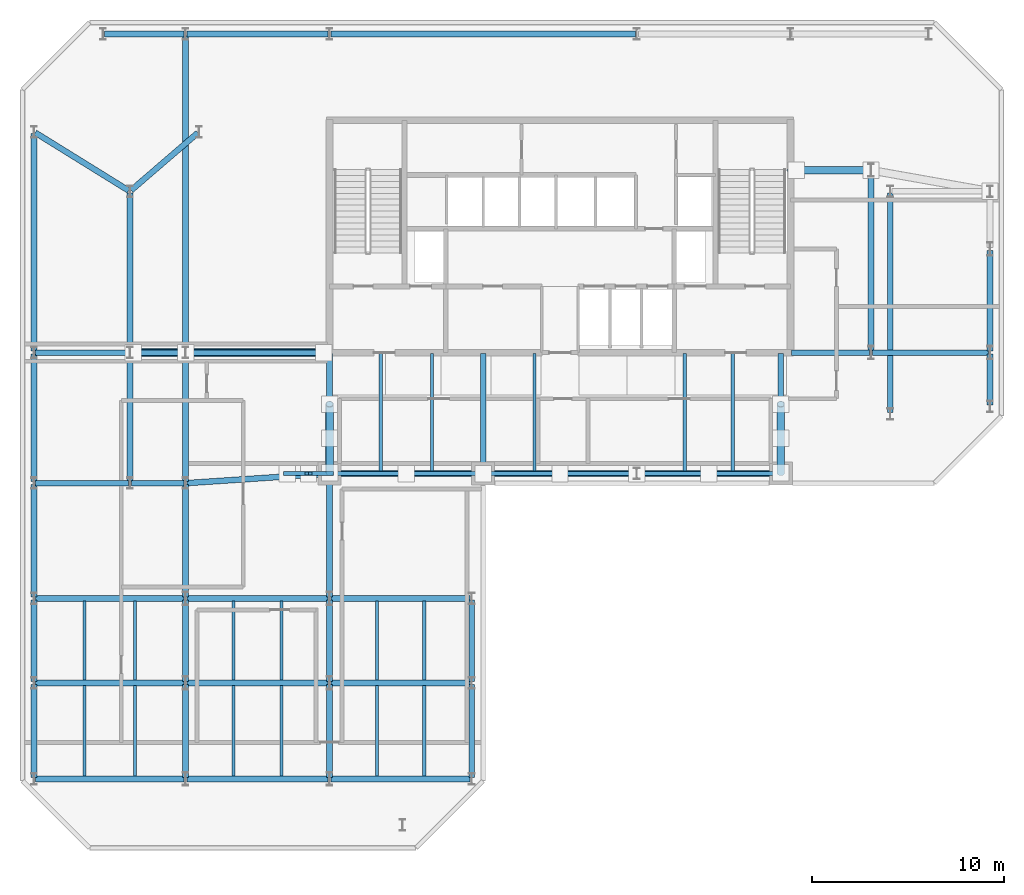
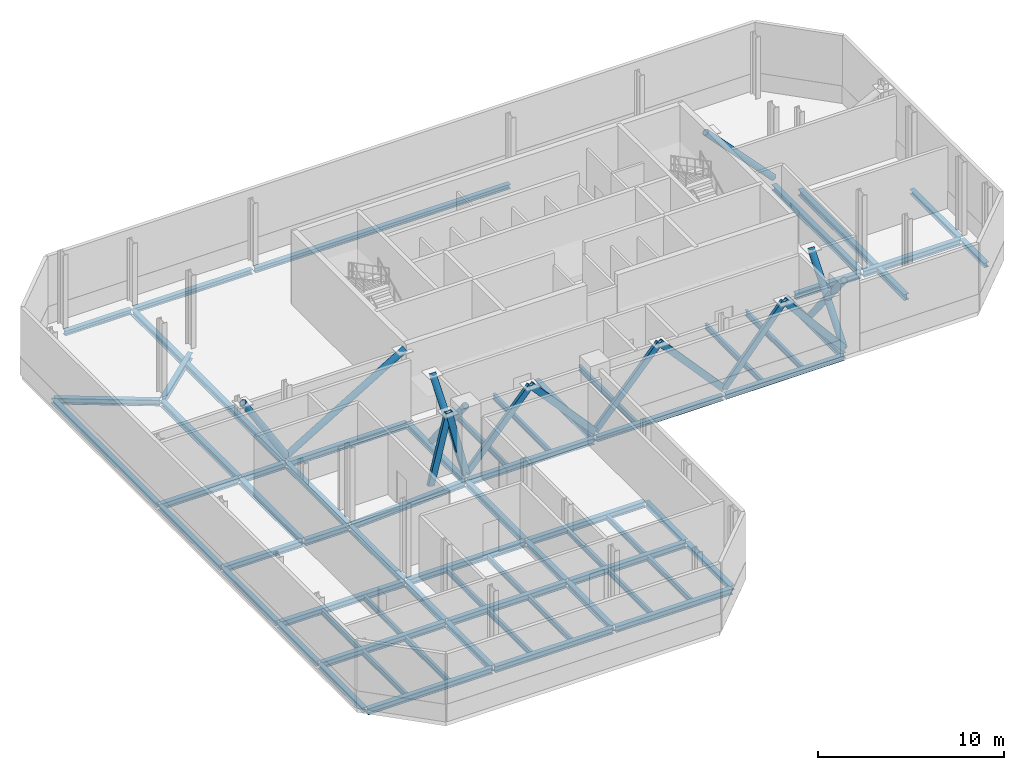
# One storey, part 3 of 9: 66 beams, 17 members.
"""IFC4 building model written with IfcOpenShell, lengths in metres."""

from ifc_helpers import new_model, si_unit, direction, frame, origin, origin_2d, place, context, subcontext, project, spatial, hollow_rectangle, hollow_circle, i_section, extrude, material, material_profile, profile_set, type_object, element, save


model = new_model("IFC4")

# Units and contexts
model_context = context("Model", 3, precision=1e-05, world=origin(), true_north=direction((0.0, 1.0)))
body_context = subcontext(model_context, "Body", "Model", "MODEL_VIEW")
ifc_project = project(units=[si_unit("LENGTHUNIT", "METRE"), si_unit("AREAUNIT", "SQUARE_METRE"), si_unit("VOLUMEUNIT", "CUBIC_METRE"), si_unit("PLANEANGLEUNIT", "RADIAN"), si_unit("MASSUNIT", "GRAM", prefix="KILO")], contexts=[model_context])

# Site, building, storey
site_placement = place(None, origin())
site = spatial("IfcSite", under=ifc_project, at=site_placement, CompositionType="ELEMENT")
building_placement = place(site_placement, origin())
building = spatial("IfcBuilding", under=site, at=building_placement, Name="Catumbela Crestline Tower", CompositionType="ELEMENT")
storey_placement = place(building_placement, frame((0.0, 0.0, 144.0)))
storey = spatial("IfcBuildingStorey", under=building, at=storey_placement, Name="L37", CompositionType="ELEMENT", Elevation=144.0)

# Beams
ifc_material_1 = material(Name="Structural steel S355J2", Category="steel")
ifc_material_profile_1 = material_profile(ifc_material_1, i_section(OverallWidth=0.3, OverallDepth=0.39, WebThickness=0.011, FlangeThickness=0.019, FilletRadius=0.027, at=origin_2d()), Name="HEA 400")
ifc_profile_set_1 = profile_set([ifc_material_profile_1], Name="Structural steel S355J2")
beam_type_1 = type_object("IfcBeamType", Name="BG-HEA400", PredefinedType="BEAM", material=ifc_profile_set_1)
beam_1_placement = place(storey_placement, frame((0.68, 24.0, -0.545), z_axis=(1.0, 0.0, 0.0), x_axis=(0.0, 1.0, 0.0)))
element("IfcBeam", 1, at=beam_1_placement, inside=storey, type_object=beam_type_1, Name="L37 Beam BM-L37-S01", PredefinedType="BEAM", context=body_context, shape_type="SweptSolid", body=[
    extrude(i_section(OverallWidth=0.3, OverallDepth=0.39, WebThickness=0.011, FlangeThickness=0.019, FilletRadius=0.027, at=origin_2d()), origin(), (0.0, 0.0, 1.0), 4.84),
])
beam_2_placement = place(storey_placement, frame((5.68, 24.0, -0.545), z_axis=(1.0, 0.0, 0.0), x_axis=(0.0, 1.0, 0.0)))
element("IfcBeam", 2, at=beam_2_placement, inside=storey, type_object=beam_type_1, Name="L37 Beam BM-L37-S02", PredefinedType="BEAM", context=body_context, shape_type="SweptSolid", body=[
    extrude(i_section(OverallWidth=0.3, OverallDepth=0.39, WebThickness=0.011, FlangeThickness=0.019, FilletRadius=0.027, at=origin_2d()), origin(), (0.0, 0.0, 1.0), 2.74),
])
beam_3_placement = place(storey_placement, frame((8.5798, 24.0053, -0.545), z_axis=(0.997784796964, 0.066524423687, 0.0), x_axis=(-0.066524423687, 0.997784796964, 0.0)))
element("IfcBeam", 3, at=beam_3_placement, inside=storey, type_object=beam_type_1, Name="L37 Beam BM-L37-S03", PredefinedType="BEAM", context=body_context, shape_type="SweptSolid", body=[
    extrude(i_section(OverallWidth=0.3, OverallDepth=0.39, WebThickness=0.011, FlangeThickness=0.019, FilletRadius=0.027, at=origin_2d()), origin(), (0.0, 0.0, 1.0), 7.3567),
])
beam_4_placement = place(storey_placement, frame((16.08, 24.5, -0.545), z_axis=(1.0, 0.0, 0.0), x_axis=(0.0, 1.0, 0.0)))
element("IfcBeam", 4, at=beam_4_placement, inside=storey, type_object=beam_type_1, Name="L37 Beam BM-L37-S04", PredefinedType="BEAM", context=body_context, shape_type="SweptSolid", body=[
    extrude(i_section(OverallWidth=0.3, OverallDepth=0.39, WebThickness=0.011, FlangeThickness=0.019, FilletRadius=0.027, at=origin_2d()), origin(), (0.0, 0.0, 1.0), 7.84),
])
beam_5_placement = place(storey_placement, frame((0.68, 30.8, -0.545), z_axis=(1.0, 0.0, 0.0), x_axis=(0.0, 1.0, 0.0)))
element("IfcBeam", 5, at=beam_5_placement, inside=storey, type_object=beam_type_1, Name="L37 Beam BM-L37-M07", PredefinedType="BEAM", context=body_context, shape_type="SweptSolid", body=[
    extrude(i_section(OverallWidth=0.3, OverallDepth=0.39, WebThickness=0.011, FlangeThickness=0.019, FilletRadius=0.027, at=origin_2d()), origin(), (0.0, 0.0, 1.0), 4.84),
])
beam_6_placement = place(storey_placement, frame((5.68, 30.8, -0.545), z_axis=(1.0, 0.0, 0.0), x_axis=(0.0, 1.0, 0.0)))
element("IfcBeam", 6, at=beam_6_placement, inside=storey, type_object=beam_type_1, Name="L37 Beam BM-L37-M08", PredefinedType="BEAM", context=body_context, shape_type="SweptSolid", body=[
    extrude(i_section(OverallWidth=0.3, OverallDepth=0.39, WebThickness=0.011, FlangeThickness=0.019, FilletRadius=0.027, at=origin_2d()), origin(), (0.0, 0.0, 1.0), 2.74),
])
beam_7_placement = place(storey_placement, frame((8.58, 30.8, -0.545), z_axis=(1.0, 0.0, 0.0), x_axis=(0.0, 1.0, 0.0)))
element("IfcBeam", 7, at=beam_7_placement, inside=storey, type_object=beam_type_1, Name="L37 Beam BM-L37-M09", PredefinedType="BEAM", context=body_context, shape_type="SweptSolid", body=[
    extrude(i_section(OverallWidth=0.3, OverallDepth=0.39, WebThickness=0.011, FlangeThickness=0.019, FilletRadius=0.027, at=origin_2d()), origin(), (0.0, 0.0, 1.0), 7.37),
])
beam_8_placement = place(storey_placement, frame((40.05, 30.8, -0.545), z_axis=(1.0, 0.0, 0.0), x_axis=(0.0, 1.0, 0.0)))
element("IfcBeam", 8, at=beam_8_placement, inside=storey, type_object=beam_type_1, Name="L37 Beam BM-L37-M10", PredefinedType="BEAM", context=body_context, shape_type="SweptSolid", body=[
    extrude(i_section(OverallWidth=0.3, OverallDepth=0.39, WebThickness=0.011, FlangeThickness=0.019, FilletRadius=0.027, at=origin_2d()), origin(), (0.0, 0.0, 1.0), 4.07),
])
beam_9_placement = place(storey_placement, frame((44.28, 30.8, -0.545), z_axis=(1.0, 0.0, 0.0), x_axis=(0.0, 1.0, 0.0)))
element("IfcBeam", 9, at=beam_9_placement, inside=storey, type_object=beam_type_1, Name="L37 Beam BM-L37-M11", PredefinedType="BEAM", context=body_context, shape_type="SweptSolid", body=[
    extrude(i_section(OverallWidth=0.3, OverallDepth=0.39, WebThickness=0.011, FlangeThickness=0.019, FilletRadius=0.027, at=origin_2d()), origin(), (0.0, 0.0, 1.0), 6.04),
])
beam_10_placement = place(storey_placement, frame((0.668, 42.2578, -0.545), z_axis=(0.849908952007, -0.526929571479, 0.0), x_axis=(0.526929571479, 0.849908952007, 0.0)))
element("IfcBeam", 10, at=beam_10_placement, inside=storey, type_object=beam_type_1, Name="L37 Beam BM-L37-N12", PredefinedType="BEAM", context=body_context, shape_type="SweptSolid", body=[
    extrude(i_section(OverallWidth=0.3, OverallDepth=0.39, WebThickness=0.011, FlangeThickness=0.019, FilletRadius=0.027, at=origin_2d()), origin(), (0.0, 0.0, 1.0), 5.723),
])
beam_11_placement = place(storey_placement, frame((5.6606, 39.2522, -0.545), z_axis=(0.757772392559, 0.652518966066, 0.0), x_axis=(-0.652518966066, 0.757772392559, 0.0)))
element("IfcBeam", 11, at=beam_11_placement, inside=storey, type_object=beam_type_1, Name="L37 Beam BM-L37-N13", PredefinedType="BEAM", context=body_context, shape_type="SweptSolid", body=[
    extrude(i_section(OverallWidth=0.3, OverallDepth=0.39, WebThickness=0.011, FlangeThickness=0.019, FilletRadius=0.027, at=origin_2d()), origin(), (0.0, 0.0, 1.0), 4.5908),
])
beam_12_placement = place(storey_placement, frame((5.6, 24.08, -0.545), z_axis=(0.0, 1.0, 0.0), x_axis=(-1.0, 0.0, 0.0)))
element("IfcBeam", 12, at=beam_12_placement, inside=storey, type_object=beam_type_1, Name="L37 Beam BM-L37-SN24", PredefinedType="BEAM", context=body_context, shape_type="SweptSolid", body=[
    extrude(i_section(OverallWidth=0.3, OverallDepth=0.39, WebThickness=0.011, FlangeThickness=0.019, FilletRadius=0.027, at=origin_2d()), origin(), (0.0, 0.0, 1.0), 6.64),
])
beam_13_placement = place(storey_placement, frame((5.6, 30.88, -0.545), z_axis=(0.0, 1.0, 0.0), x_axis=(-1.0, 0.0, 0.0)))
element("IfcBeam", 13, at=beam_13_placement, inside=storey, type_object=beam_type_1, Name="L37 Beam BM-L37-SN25", PredefinedType="BEAM", context=body_context, shape_type="SweptSolid", body=[
    extrude(i_section(OverallWidth=0.3, OverallDepth=0.39, WebThickness=0.011, FlangeThickness=0.019, FilletRadius=0.027, at=origin_2d()), origin(), (0.0, 0.0, 1.0), 8.24),
])
beam_14_placement = place(storey_placement, frame((8.5, 24.08, -0.545), z_axis=(0.0, 1.0, 0.0), x_axis=(-1.0, 0.0, 0.0)))
element("IfcBeam", 14, at=beam_14_placement, inside=storey, type_object=beam_type_1, Name="L37 Beam BM-L37-SN26", PredefinedType="BEAM", context=body_context, shape_type="SweptSolid", body=[
    extrude(i_section(OverallWidth=0.3, OverallDepth=0.39, WebThickness=0.011, FlangeThickness=0.019, FilletRadius=0.027, at=origin_2d()), origin(), (0.0, 0.0, 1.0), 6.64),
])
beam_15_placement = place(storey_placement, frame((8.5, 30.88, -0.545), z_axis=(0.0, 1.0, 0.0), x_axis=(-1.0, 0.0, 0.0)))
element("IfcBeam", 15, at=beam_15_placement, inside=storey, type_object=beam_type_1, Name="L37 Beam BM-L37-SN27", PredefinedType="BEAM", context=body_context, shape_type="SweptSolid", body=[
    extrude(i_section(OverallWidth=0.3, OverallDepth=0.39, WebThickness=0.011, FlangeThickness=0.019, FilletRadius=0.027, at=origin_2d()), origin(), (0.0, 0.0, 1.0), 16.44),
])
for number, where, z_axis, x_axis, name in (
    (16, (16.0, 24.58, -0.545), (0.0, 1.0, 0.0), (-1.0, 0.0, 0.0), "L37 Beam BM-L37-SNS28"),
    (17, (24.0, 24.58, -0.545), (0.0, 1.0, 0.0), (-1.0, 0.0, 0.0), "L37 Beam BM-L37-SNS29"),
    (18, (39.5, 24.58, -0.545), (0.0, 1.0, 0.0), (-1.0, 0.0, 0.0), "L37 Beam BM-L37-SNS31"),
):
    element("IfcBeam", number, at=place(storey_placement, frame(where, z_axis=z_axis, x_axis=x_axis)), inside=storey, type_object=beam_type_1, Name=name, PredefinedType="BEAM", context=body_context, shape_type="SweptSolid", body=[
        extrude(i_section(OverallWidth=0.3, OverallDepth=0.39, WebThickness=0.011, FlangeThickness=0.019, FilletRadius=0.027, at=origin_2d()), origin(), (0.0, 0.0, 1.0), 6.17),
    ])
beam_16_placement = place(storey_placement, frame((44.2, 30.88, -0.545), z_axis=(0.0, 1.0, 0.0), x_axis=(-1.0, 0.0, 0.0)))
element("IfcBeam", 19, at=beam_16_placement, inside=storey, type_object=beam_type_1, Name="L37 Beam BM-L37-SN32", PredefinedType="BEAM", context=body_context, shape_type="SweptSolid", body=[
    extrude(i_section(OverallWidth=0.3, OverallDepth=0.39, WebThickness=0.011, FlangeThickness=0.019, FilletRadius=0.027, at=origin_2d()), origin(), (0.0, 0.0, 1.0), 9.34),
])
beam_17_placement = place(storey_placement, frame((45.2, 27.68, -0.545), z_axis=(0.0, 1.0, 0.0), x_axis=(-1.0, 0.0, 0.0)))
element("IfcBeam", 20, at=beam_17_placement, inside=storey, type_object=beam_type_1, Name="L37 Beam BM-L37-SN33", PredefinedType="BEAM", context=body_context, shape_type="SweptSolid", body=[
    extrude(i_section(OverallWidth=0.3, OverallDepth=0.39, WebThickness=0.011, FlangeThickness=0.019, FilletRadius=0.027, at=origin_2d()), origin(), (0.0, 0.0, 1.0), 11.44),
])
beam_18_placement = place(storey_placement, frame((0.68, 8.6, -0.545), z_axis=(1.0, 0.0, 0.0), x_axis=(0.0, 1.0, 0.0)))
element("IfcBeam", 21, at=beam_18_placement, inside=storey, type_object=beam_type_1, Name="L37 Beam BM-L37-WEW43", PredefinedType="BEAM", context=body_context, shape_type="SweptSolid", body=[
    extrude(i_section(OverallWidth=0.3, OverallDepth=0.39, WebThickness=0.011, FlangeThickness=0.019, FilletRadius=0.027, at=origin_2d()), origin(), (0.0, 0.0, 1.0), 7.74),
])
beam_19_placement = place(storey_placement, frame((8.58, 8.6, -0.545), z_axis=(1.0, 0.0, 0.0), x_axis=(0.0, 1.0, 0.0)))
element("IfcBeam", 22, at=beam_19_placement, inside=storey, type_object=beam_type_1, Name="L37 Beam BM-L37-WEW44", PredefinedType="BEAM", context=body_context, shape_type="SweptSolid", body=[
    extrude(i_section(OverallWidth=0.3, OverallDepth=0.39, WebThickness=0.011, FlangeThickness=0.019, FilletRadius=0.027, at=origin_2d()), origin(), (0.0, 0.0, 1.0), 7.34),
])
beam_20_placement = place(storey_placement, frame((16.08, 8.6, -0.545), z_axis=(1.0, 0.0, 0.0), x_axis=(0.0, 1.0, 0.0)))
element("IfcBeam", 23, at=beam_20_placement, inside=storey, type_object=beam_type_1, Name="L37 Beam BM-L37-WEW45", PredefinedType="BEAM", context=body_context, shape_type="SweptSolid", body=[
    extrude(i_section(OverallWidth=0.3, OverallDepth=0.39, WebThickness=0.011, FlangeThickness=0.019, FilletRadius=0.027, at=origin_2d()), origin(), (0.0, 0.0, 1.0), 7.24),
])
beam_21_placement = place(storey_placement, frame((0.68, 13.6, -0.545), z_axis=(1.0, 0.0, 0.0), x_axis=(0.0, 1.0, 0.0)))
element("IfcBeam", 24, at=beam_21_placement, inside=storey, type_object=beam_type_1, Name="L37 Beam BM-L37-WEW46", PredefinedType="BEAM", context=body_context, shape_type="SweptSolid", body=[
    extrude(i_section(OverallWidth=0.3, OverallDepth=0.39, WebThickness=0.011, FlangeThickness=0.019, FilletRadius=0.027, at=origin_2d()), origin(), (0.0, 0.0, 1.0), 7.74),
])
beam_22_placement = place(storey_placement, frame((8.58, 13.6, -0.545), z_axis=(1.0, 0.0, 0.0), x_axis=(0.0, 1.0, 0.0)))
element("IfcBeam", 25, at=beam_22_placement, inside=storey, type_object=beam_type_1, Name="L37 Beam BM-L37-WEW47", PredefinedType="BEAM", context=body_context, shape_type="SweptSolid", body=[
    extrude(i_section(OverallWidth=0.3, OverallDepth=0.39, WebThickness=0.011, FlangeThickness=0.019, FilletRadius=0.027, at=origin_2d()), origin(), (0.0, 0.0, 1.0), 7.34),
])
beam_23_placement = place(storey_placement, frame((16.08, 13.6, -0.545), z_axis=(1.0, 0.0, 0.0), x_axis=(0.0, 1.0, 0.0)))
element("IfcBeam", 26, at=beam_23_placement, inside=storey, type_object=beam_type_1, Name="L37 Beam BM-L37-WEW48", PredefinedType="BEAM", context=body_context, shape_type="SweptSolid", body=[
    extrude(i_section(OverallWidth=0.3, OverallDepth=0.39, WebThickness=0.011, FlangeThickness=0.019, FilletRadius=0.027, at=origin_2d()), origin(), (0.0, 0.0, 1.0), 7.24),
])
beam_24_placement = place(storey_placement, frame((0.68, 18.0, -0.545), z_axis=(1.0, 0.0, 0.0), x_axis=(0.0, 1.0, 0.0)))
element("IfcBeam", 27, at=beam_24_placement, inside=storey, type_object=beam_type_1, Name="L37 Beam BM-L37-WEW49", PredefinedType="BEAM", context=body_context, shape_type="SweptSolid", body=[
    extrude(i_section(OverallWidth=0.3, OverallDepth=0.39, WebThickness=0.011, FlangeThickness=0.019, FilletRadius=0.027, at=origin_2d()), origin(), (0.0, 0.0, 1.0), 7.74),
])
beam_25_placement = place(storey_placement, frame((8.58, 18.0, -0.545), z_axis=(1.0, 0.0, 0.0), x_axis=(0.0, 1.0, 0.0)))
element("IfcBeam", 28, at=beam_25_placement, inside=storey, type_object=beam_type_1, Name="L37 Beam BM-L37-WEW50", PredefinedType="BEAM", context=body_context, shape_type="SweptSolid", body=[
    extrude(i_section(OverallWidth=0.3, OverallDepth=0.39, WebThickness=0.011, FlangeThickness=0.019, FilletRadius=0.027, at=origin_2d()), origin(), (0.0, 0.0, 1.0), 7.34),
])
beam_26_placement = place(storey_placement, frame((16.08, 18.0, -0.545), z_axis=(1.0, 0.0, 0.0), x_axis=(0.0, 1.0, 0.0)))
element("IfcBeam", 29, at=beam_26_placement, inside=storey, type_object=beam_type_1, Name="L37 Beam BM-L37-WEW51", PredefinedType="BEAM", context=body_context, shape_type="SweptSolid", body=[
    extrude(i_section(OverallWidth=0.3, OverallDepth=0.39, WebThickness=0.011, FlangeThickness=0.019, FilletRadius=0.027, at=origin_2d()), origin(), (0.0, 0.0, 1.0), 7.24),
])
beam_27_placement = place(storey_placement, frame((8.5, 8.68, -0.545), z_axis=(0.0, 1.0, 0.0), x_axis=(-1.0, 0.0, 0.0)))
element("IfcBeam", 30, at=beam_27_placement, inside=storey, type_object=beam_type_1, Name="L37 Beam BM-L37-WNS55", PredefinedType="BEAM", context=body_context, shape_type="SweptSolid", body=[
    extrude(i_section(OverallWidth=0.3, OverallDepth=0.39, WebThickness=0.011, FlangeThickness=0.019, FilletRadius=0.027, at=origin_2d()), origin(), (0.0, 0.0, 1.0), 4.84),
])
beam_28_placement = place(storey_placement, frame((8.5, 13.68, -0.545), z_axis=(0.0, 1.0, 0.0), x_axis=(-1.0, 0.0, 0.0)))
element("IfcBeam", 31, at=beam_28_placement, inside=storey, type_object=beam_type_1, Name="L37 Beam BM-L37-WNS56", PredefinedType="BEAM", context=body_context, shape_type="SweptSolid", body=[
    extrude(i_section(OverallWidth=0.3, OverallDepth=0.39, WebThickness=0.011, FlangeThickness=0.019, FilletRadius=0.027, at=origin_2d()), origin(), (0.0, 0.0, 1.0), 4.24),
])
beam_29_placement = place(storey_placement, frame((8.5, 18.08, -0.545), z_axis=(0.0, 1.0, 0.0), x_axis=(-1.0, 0.0, 0.0)))
element("IfcBeam", 32, at=beam_29_placement, inside=storey, type_object=beam_type_1, Name="L37 Beam BM-L37-WNS57", PredefinedType="BEAM", context=body_context, shape_type="SweptSolid", body=[
    extrude(i_section(OverallWidth=0.3, OverallDepth=0.39, WebThickness=0.011, FlangeThickness=0.019, FilletRadius=0.027, at=origin_2d()), origin(), (0.0, 0.0, 1.0), 5.84),
])
beam_30_placement = place(storey_placement, frame((16.0, 8.68, -0.545), z_axis=(0.0, 1.0, 0.0), x_axis=(-1.0, 0.0, 0.0)))
element("IfcBeam", 33, at=beam_30_placement, inside=storey, type_object=beam_type_1, Name="L37 Beam BM-L37-WNS58", PredefinedType="BEAM", context=body_context, shape_type="SweptSolid", body=[
    extrude(i_section(OverallWidth=0.3, OverallDepth=0.39, WebThickness=0.011, FlangeThickness=0.019, FilletRadius=0.027, at=origin_2d()), origin(), (0.0, 0.0, 1.0), 4.84),
])
beam_31_placement = place(storey_placement, frame((16.0, 13.68, -0.545), z_axis=(0.0, 1.0, 0.0), x_axis=(-1.0, 0.0, 0.0)))
element("IfcBeam", 34, at=beam_31_placement, inside=storey, type_object=beam_type_1, Name="L37 Beam BM-L37-WNS59", PredefinedType="BEAM", context=body_context, shape_type="SweptSolid", body=[
    extrude(i_section(OverallWidth=0.3, OverallDepth=0.39, WebThickness=0.011, FlangeThickness=0.019, FilletRadius=0.027, at=origin_2d()), origin(), (0.0, 0.0, 1.0), 4.24),
])
beam_32_placement = place(storey_placement, frame((16.0, 18.08, -0.545), z_axis=(0.0, 1.0, 0.0), x_axis=(-1.0, 0.0, 0.0)))
element("IfcBeam", 35, at=beam_32_placement, inside=storey, type_object=beam_type_1, Name="L37 Beam BM-L37-WNS60", PredefinedType="BEAM", context=body_context, shape_type="SweptSolid", body=[
    extrude(i_section(OverallWidth=0.3, OverallDepth=0.39, WebThickness=0.011, FlangeThickness=0.019, FilletRadius=0.027, at=origin_2d()), origin(), (0.0, 0.0, 1.0), 6.34),
])
ifc_material_profile_2 = material_profile(ifc_material_1, i_section(OverallWidth=0.17, OverallDepth=0.36, WebThickness=0.008, FlangeThickness=0.0127, FilletRadius=0.018, at=origin_2d()), Name="IPE 360")
ifc_profile_set_2 = profile_set([ifc_material_profile_2], Name="Structural steel S355J2")
beam_type_2 = type_object("IfcBeamType", Name="BJ-IPE360", PredefinedType="JOIST", material=ifc_profile_set_2)
for number, where, z_axis, x_axis, name in (
    (36, (18.667, 24.647, -0.53), (0.0, 1.0, 0.0), (-1.0, 0.0, 0.0), "L37 Joist JS-L37-SP37"),
    (37, (21.333, 24.647, -0.53), (0.0, 1.0, 0.0), (-1.0, 0.0, 0.0), "L37 Joist JS-L37-SP38"),
    (38, (26.667, 24.647, -0.53), (0.0, 1.0, 0.0), (-1.0, 0.0, 0.0), "L37 Joist JS-L37-SP39"),
    (39, (34.5, 24.647, -0.53), (0.0, 1.0, 0.0), (-1.0, 0.0, 0.0), "L37 Joist JS-L37-SP41"),
    (40, (37.0, 24.647, -0.53), (0.0, 1.0, 0.0), (-1.0, 0.0, 0.0), "L37 Joist JS-L37-SP42"),
):
    element("IfcBeam", number, at=place(storey_placement, frame(where, z_axis=z_axis, x_axis=x_axis)), inside=storey, type_object=beam_type_2, Name=name, PredefinedType="JOIST", context=body_context, shape_type="SweptSolid", body=[
        extrude(i_section(OverallWidth=0.17, OverallDepth=0.36, WebThickness=0.008, FlangeThickness=0.0127, FilletRadius=0.018, at=origin_2d()), origin(), (0.0, 0.0, 1.0), 6.103),
    ])
for number, where, z_axis, x_axis, name in (
    (41, (3.233, 8.747, -0.53), (0.0, 1.0, 0.0), (-1.0, 0.0, 0.0), "L37 Joist JS-L37-WG63"),
    (42, (5.867, 8.747, -0.53), (0.0, 1.0, 0.0), (-1.0, 0.0, 0.0), "L37 Joist JS-L37-WG64"),
    (43, (11.0, 8.747, -0.53), (0.0, 1.0, 0.0), (-1.0, 0.0, 0.0), "L37 Joist JS-L37-WG65"),
    (44, (13.5, 8.747, -0.53), (0.0, 1.0, 0.0), (-1.0, 0.0, 0.0), "L37 Joist JS-L37-WG66"),
    (45, (18.467, 8.747, -0.53), (0.0, 1.0, 0.0), (-1.0, 0.0, 0.0), "L37 Joist JS-L37-WG67"),
    (46, (20.933, 8.747, -0.53), (0.0, 1.0, 0.0), (-1.0, 0.0, 0.0), "L37 Joist JS-L37-WG68"),
):
    element("IfcBeam", number, at=place(storey_placement, frame(where, z_axis=z_axis, x_axis=x_axis)), inside=storey, type_object=beam_type_2, Name=name, PredefinedType="JOIST", context=body_context, shape_type="SweptSolid", body=[
        extrude(i_section(OverallWidth=0.17, OverallDepth=0.36, WebThickness=0.008, FlangeThickness=0.0127, FilletRadius=0.018, at=origin_2d()), origin(), (0.0, 0.0, 1.0), 4.706),
    ])
for number, where, z_axis, x_axis, name in (
    (47, (3.233, 13.747, -0.53), (0.0, 1.0, 0.0), (-1.0, 0.0, 0.0), "L37 Joist JS-L37-WG69"),
    (48, (5.867, 13.747, -0.53), (0.0, 1.0, 0.0), (-1.0, 0.0, 0.0), "L37 Joist JS-L37-WG70"),
    (49, (11.0, 13.747, -0.53), (0.0, 1.0, 0.0), (-1.0, 0.0, 0.0), "L37 Joist JS-L37-WG71"),
    (50, (13.5, 13.747, -0.53), (0.0, 1.0, 0.0), (-1.0, 0.0, 0.0), "L37 Joist JS-L37-WG72"),
    (51, (18.467, 13.747, -0.53), (0.0, 1.0, 0.0), (-1.0, 0.0, 0.0), "L37 Joist JS-L37-WG73"),
    (52, (20.933, 13.747, -0.53), (0.0, 1.0, 0.0), (-1.0, 0.0, 0.0), "L37 Joist JS-L37-WG74"),
):
    element("IfcBeam", number, at=place(storey_placement, frame(where, z_axis=z_axis, x_axis=x_axis)), inside=storey, type_object=beam_type_2, Name=name, PredefinedType="JOIST", context=body_context, shape_type="SweptSolid", body=[
        extrude(i_section(OverallWidth=0.17, OverallDepth=0.36, WebThickness=0.008, FlangeThickness=0.0127, FilletRadius=0.018, at=origin_2d()), origin(), (0.0, 0.0, 1.0), 4.106),
    ])

# Members
ifc_material_2 = material(Name="Structural steel S460M", Category="steel")
ifc_material_profile_3 = material_profile(ifc_material_2, hollow_rectangle(XDim=0.2, YDim=0.4, WallThickness=0.016, at=origin_2d()), Name="RHS 400x200x16")
ifc_profile_set_3 = profile_set([ifc_material_profile_3], Name="Structural steel S460M")
member_type_1 = type_object("IfcMemberType", Name="BB-400", PredefinedType="BRACE", material=ifc_profile_set_3)
for number, where, z_axis, x_axis, name in (
    (53, (13.8, 24.5, 0.01), (0.240988864291, 0.0, 0.970527880737), (0.0, 1.0, 0.0), "L37 Outrigger and Belt Truss Diagonal BT-S1"),
    (54, (14.9, 24.5, 4.44), (0.240988864291, 0.0, -0.970527880737), (0.0, 1.0, 0.0), "L37 Outrigger and Belt Truss Diagonal BT-S2"),
):
    element("IfcMember", number, at=place(storey_placement, frame(where, z_axis=z_axis, x_axis=x_axis)), inside=storey, type_object=member_type_1, Name=name, PredefinedType="BRACE", context=body_context, shape_type="SweptSolid", body=[
        extrude(hollow_rectangle(XDim=0.2, YDim=0.4, WallThickness=0.016, at=origin_2d()), origin(), (0.0, 0.0, 1.0), 4.5645),
    ])
for number, where, z_axis, x_axis, name in (
    (55, (16.0, 24.5, 0.01), (0.670167193853, 0.0, 0.742210167192), (0.0, 1.0, 0.0), "L37 Outrigger and Belt Truss Diagonal BT-S3"),
    (56, (20.0, 24.5, 4.44), (0.670167193853, 0.0, -0.742210167192), (0.0, 1.0, 0.0), "L37 Outrigger and Belt Truss Diagonal BT-S4"),
    (57, (24.0, 24.5, 0.01), (0.670167193853, 0.0, 0.742210167192), (0.0, 1.0, 0.0), "L37 Outrigger and Belt Truss Diagonal BT-S5"),
    (58, (28.0, 24.5, 4.44), (0.670167193853, 0.0, -0.742210167192), (0.0, 1.0, 0.0), "L37 Outrigger and Belt Truss Diagonal BT-S6"),
):
    element("IfcMember", number, at=place(storey_placement, frame(where, z_axis=z_axis, x_axis=x_axis)), inside=storey, type_object=member_type_1, Name=name, PredefinedType="BRACE", context=body_context, shape_type="SweptSolid", body=[
        extrude(hollow_rectangle(XDim=0.2, YDim=0.4, WallThickness=0.016, at=origin_2d()), origin(), (0.0, 0.0, 1.0), 5.9687),
    ])
for number, where, z_axis, x_axis, name in (
    (59, (32.0, 24.5, 0.01), (0.646096697338, 0.0, 0.763255565122), (0.0, 1.0, 0.0), "L37 Outrigger and Belt Truss Diagonal BT-S7"),
    (60, (35.75, 24.5, 4.44), (0.646096697338, 0.0, -0.763255565122), (0.0, 1.0, 0.0), "L37 Outrigger and Belt Truss Diagonal BT-S8"),
):
    element("IfcMember", number, at=place(storey_placement, frame(where, z_axis=z_axis, x_axis=x_axis)), inside=storey, type_object=member_type_1, Name=name, PredefinedType="BRACE", context=body_context, shape_type="SweptSolid", body=[
        extrude(hollow_rectangle(XDim=0.2, YDim=0.4, WallThickness=0.016, at=origin_2d()), origin(), (0.0, 0.0, 1.0), 5.8041),
    ])
ifc_material_profile_4 = material_profile(ifc_material_2, hollow_circle(Radius=0.2032, WallThickness=0.025, at=origin_2d()), Name="CHS 406.4x25")
ifc_profile_set_4 = profile_set([ifc_material_profile_4], Name="Structural steel S460M")
member_type_2 = type_object("IfcMemberType", Name="OB-406", PredefinedType="BRACE", material=ifc_profile_set_4)
member_1_placement = place(storey_placement, frame((16.0, 28.12, 4.44), z_axis=(0.0, -0.627477572979, -0.778634635377), x_axis=(1.0, 0.0, 0.0)))
element("IfcMember", 61, at=member_1_placement, inside=storey, type_object=member_type_2, Name="L37 Outrigger and Belt Truss Diagonal OU-W1", PredefinedType="BRACE", context=body_context, shape_type="SweptSolid", body=[
    extrude(hollow_circle(Radius=0.2032, WallThickness=0.025, at=origin_2d()), origin(), (0.0, 0.0, 1.0), 5.6894),
])
for number, where, z_axis, x_axis, name in (
    (62, (16.0, 28.12, 0.01), (0.0, -0.624695047554, 0.780868809443), (1.0, 0.0, 0.0), "L37 Outrigger and Belt Truss Diagonal OU-W2A"),
    (63, (16.0, 26.29, 2.265), (0.0, -0.624695047554, 0.780868809443), (1.0, 0.0, 0.0), "L37 Outrigger and Belt Truss Diagonal OU-W2B"),
):
    element("IfcMember", number, at=place(storey_placement, frame(where, z_axis=z_axis, x_axis=x_axis)), inside=storey, type_object=member_type_2, Name=name, PredefinedType="BRACE", context=body_context, shape_type="SweptSolid", body=[
        extrude(hollow_circle(Radius=0.2032, WallThickness=0.025, at=origin_2d()), origin(), (0.0, 0.0, 1.0), 2.7854),
    ])
member_2_placement = place(storey_placement, frame((39.5, 28.12, 4.44), z_axis=(0.0, -0.627477572979, -0.778634635377), x_axis=(1.0, 0.0, 0.0)))
element("IfcMember", 64, at=member_2_placement, inside=storey, type_object=member_type_2, Name="L37 Outrigger and Belt Truss Diagonal OU-E1", PredefinedType="BRACE", context=body_context, shape_type="SweptSolid", body=[
    extrude(hollow_circle(Radius=0.2032, WallThickness=0.025, at=origin_2d()), origin(), (0.0, 0.0, 1.0), 5.6894),
])
for number, where, z_axis, x_axis, name in (
    (65, (39.5, 28.12, 0.01), (0.0, -0.624695047554, 0.780868809443), (1.0, 0.0, 0.0), "L37 Outrigger and Belt Truss Diagonal OU-E2A"),
    (66, (39.5, 26.29, 2.265), (0.0, -0.624695047554, 0.780868809443), (1.0, 0.0, 0.0), "L37 Outrigger and Belt Truss Diagonal OU-E2B"),
):
    element("IfcMember", number, at=place(storey_placement, frame(where, z_axis=z_axis, x_axis=x_axis)), inside=storey, type_object=member_type_2, Name=name, PredefinedType="BRACE", context=body_context, shape_type="SweptSolid", body=[
        extrude(hollow_circle(Radius=0.2032, WallThickness=0.025, at=origin_2d()), origin(), (0.0, 0.0, 1.0), 2.7854),
    ])
member_3_placement = place(storey_placement, frame((15.85, 30.8, 4.44), z_axis=(-0.85646304655, 0.0, -0.516208339621), x_axis=(0.0, -1.0, 0.0)))
element("IfcMember", 67, at=member_3_placement, inside=storey, type_object=member_type_2, Name="L37 Outrigger and Belt Truss Diagonal OU-LW1", PredefinedType="BRACE", context=body_context, shape_type="SweptSolid", body=[
    extrude(hollow_circle(Radius=0.2032, WallThickness=0.025, at=origin_2d()), origin(), (0.0, 0.0, 1.0), 8.5818),
])
member_4_placement = place(storey_placement, frame((8.5, 30.8, 0.01), z_axis=(-0.523238525018, 0.0, 0.852186274201), x_axis=(0.0, -1.0, 0.0)))
element("IfcMember", 68, at=member_4_placement, inside=storey, type_object=member_type_2, Name="L37 Outrigger and Belt Truss Diagonal OU-LW2", PredefinedType="BRACE", context=body_context, shape_type="SweptSolid", body=[
    extrude(hollow_circle(Radius=0.2032, WallThickness=0.025, at=origin_2d()), origin(), (0.0, 0.0, 1.0), 5.1984),
])
member_5_placement = place(storey_placement, frame((40.0, 40.3, 4.44), z_axis=(0.688017223549, 0.0, -0.725694357219), x_axis=(0.0, 1.0, 0.0)))
element("IfcMember", 69, at=member_5_placement, inside=storey, type_object=member_type_2, Name="L37 Outrigger and Belt Truss Diagonal OU-LE1", PredefinedType="BRACE", context=body_context, shape_type="SweptSolid", body=[
    extrude(hollow_circle(Radius=0.2032, WallThickness=0.025, at=origin_2d()), origin(), (0.0, 0.0, 1.0), 6.1045),
])

# Beams
ifc_material_profile_5 = material_profile(ifc_material_1, i_section(OverallWidth=0.3, OverallDepth=0.31, WebThickness=0.009, FlangeThickness=0.0155, FilletRadius=0.027, at=origin_2d()), Name="HEA 320")
ifc_profile_set_5 = profile_set([ifc_material_profile_5], Name="Structural steel S355J2")
beam_type_3 = type_object("IfcBeamType", Name="BS-HEA320", PredefinedType="SPANDREL", material=ifc_profile_set_5)
beam_33_placement = place(storey_placement, frame((24.08, 24.5, -0.505), z_axis=(1.0, 0.0, 0.0), x_axis=(0.0, 1.0, 0.0)))
element("IfcBeam", 70, at=beam_33_placement, inside=storey, type_object=beam_type_3, Name="L37 Spandrel SP-L37-S05", PredefinedType="SPANDREL", context=body_context, shape_type="SweptSolid", body=[
    extrude(i_section(OverallWidth=0.3, OverallDepth=0.31, WebThickness=0.009, FlangeThickness=0.0155, FilletRadius=0.027, at=origin_2d()), origin(), (0.0, 0.0, 1.0), 7.84),
])
beam_34_placement = place(storey_placement, frame((32.08, 24.5, -0.505), z_axis=(1.0, 0.0, 0.0), x_axis=(0.0, 1.0, 0.0)))
element("IfcBeam", 71, at=beam_34_placement, inside=storey, type_object=beam_type_3, Name="L37 Spandrel SP-L37-S06", PredefinedType="SPANDREL", context=body_context, shape_type="SweptSolid", body=[
    extrude(i_section(OverallWidth=0.3, OverallDepth=0.31, WebThickness=0.009, FlangeThickness=0.0155, FilletRadius=0.027, at=origin_2d()), origin(), (0.0, 0.0, 1.0), 7.34),
])
beam_35_placement = place(storey_placement, frame((4.28, 47.4, -0.505), z_axis=(1.0, 0.0, 0.0), x_axis=(0.0, 1.0, 0.0)))
element("IfcBeam", 72, at=beam_35_placement, inside=storey, type_object=beam_type_3, Name="L37 Spandrel SP-L37-NF17", PredefinedType="SPANDREL", context=body_context, shape_type="SweptSolid", body=[
    extrude(i_section(OverallWidth=0.3, OverallDepth=0.31, WebThickness=0.009, FlangeThickness=0.0155, FilletRadius=0.027, at=origin_2d()), origin(), (0.0, 0.0, 1.0), 4.14),
])
beam_36_placement = place(storey_placement, frame((8.58, 47.4, -0.505), z_axis=(1.0, 0.0, 0.0), x_axis=(0.0, 1.0, 0.0)))
element("IfcBeam", 73, at=beam_36_placement, inside=storey, type_object=beam_type_3, Name="L37 Spandrel SP-L37-NF18", PredefinedType="SPANDREL", context=body_context, shape_type="SweptSolid", body=[
    extrude(i_section(OverallWidth=0.3, OverallDepth=0.31, WebThickness=0.009, FlangeThickness=0.0155, FilletRadius=0.027, at=origin_2d()), origin(), (0.0, 0.0, 1.0), 7.34),
])
beam_37_placement = place(storey_placement, frame((16.08, 47.4, -0.505), z_axis=(1.0, 0.0, 0.0), x_axis=(0.0, 1.0, 0.0)))
element("IfcBeam", 74, at=beam_37_placement, inside=storey, type_object=beam_type_3, Name="L37 Spandrel SP-L37-NF19", PredefinedType="SPANDREL", context=body_context, shape_type="SweptSolid", body=[
    extrude(i_section(OverallWidth=0.3, OverallDepth=0.31, WebThickness=0.009, FlangeThickness=0.0155, FilletRadius=0.027, at=origin_2d()), origin(), (0.0, 0.0, 1.0), 15.84),
])
beam_38_placement = place(storey_placement, frame((0.6, 24.08, -0.505), z_axis=(0.0, 1.0, 0.0), x_axis=(-1.0, 0.0, 0.0)))
element("IfcBeam", 75, at=beam_38_placement, inside=storey, type_object=beam_type_3, Name="L37 Spandrel SP-L37-SN22", PredefinedType="SPANDREL", context=body_context, shape_type="SweptSolid", body=[
    extrude(i_section(OverallWidth=0.3, OverallDepth=0.31, WebThickness=0.009, FlangeThickness=0.0155, FilletRadius=0.027, at=origin_2d()), origin(), (0.0, 0.0, 1.0), 6.64),
])
beam_39_placement = place(storey_placement, frame((0.6, 30.88, -0.505), z_axis=(0.0, 1.0, 0.0), x_axis=(-1.0, 0.0, 0.0)))
element("IfcBeam", 76, at=beam_39_placement, inside=storey, type_object=beam_type_3, Name="L37 Spandrel SP-L37-SN23", PredefinedType="SPANDREL", context=body_context, shape_type="SweptSolid", body=[
    extrude(i_section(OverallWidth=0.3, OverallDepth=0.31, WebThickness=0.009, FlangeThickness=0.0155, FilletRadius=0.027, at=origin_2d()), origin(), (0.0, 0.0, 1.0), 11.34),
])
beam_40_placement = place(storey_placement, frame((50.4, 28.08, -0.505), z_axis=(0.0, 1.0, 0.0), x_axis=(-1.0, 0.0, 0.0)))
element("IfcBeam", 77, at=beam_40_placement, inside=storey, type_object=beam_type_3, Name="L37 Spandrel SP-L37-SN34", PredefinedType="SPANDREL", context=body_context, shape_type="SweptSolid", body=[
    extrude(i_section(OverallWidth=0.3, OverallDepth=0.31, WebThickness=0.009, FlangeThickness=0.0155, FilletRadius=0.027, at=origin_2d()), origin(), (0.0, 0.0, 1.0), 2.64),
])
beam_41_placement = place(storey_placement, frame((50.4, 30.88, -0.505), z_axis=(0.0, 1.0, 0.0), x_axis=(-1.0, 0.0, 0.0)))
element("IfcBeam", 78, at=beam_41_placement, inside=storey, type_object=beam_type_3, Name="L37 Spandrel SP-L37-SN35", PredefinedType="SPANDREL", context=body_context, shape_type="SweptSolid", body=[
    extrude(i_section(OverallWidth=0.3, OverallDepth=0.31, WebThickness=0.009, FlangeThickness=0.0155, FilletRadius=0.027, at=origin_2d()), origin(), (0.0, 0.0, 1.0), 5.24),
])
beam_42_placement = place(storey_placement, frame((0.6, 8.68, -0.505), z_axis=(0.0, 1.0, 0.0), x_axis=(-1.0, 0.0, 0.0)))
element("IfcBeam", 79, at=beam_42_placement, inside=storey, type_object=beam_type_3, Name="L37 Spandrel SP-L37-WNS52", PredefinedType="SPANDREL", context=body_context, shape_type="SweptSolid", body=[
    extrude(i_section(OverallWidth=0.3, OverallDepth=0.31, WebThickness=0.009, FlangeThickness=0.0155, FilletRadius=0.027, at=origin_2d()), origin(), (0.0, 0.0, 1.0), 4.84),
])
beam_43_placement = place(storey_placement, frame((0.6, 13.68, -0.505), z_axis=(0.0, 1.0, 0.0), x_axis=(-1.0, 0.0, 0.0)))
element("IfcBeam", 80, at=beam_43_placement, inside=storey, type_object=beam_type_3, Name="L37 Spandrel SP-L37-WNS53", PredefinedType="SPANDREL", context=body_context, shape_type="SweptSolid", body=[
    extrude(i_section(OverallWidth=0.3, OverallDepth=0.31, WebThickness=0.009, FlangeThickness=0.0155, FilletRadius=0.027, at=origin_2d()), origin(), (0.0, 0.0, 1.0), 4.24),
])
beam_44_placement = place(storey_placement, frame((0.6, 18.08, -0.505), z_axis=(0.0, 1.0, 0.0), x_axis=(-1.0, 0.0, 0.0)))
element("IfcBeam", 81, at=beam_44_placement, inside=storey, type_object=beam_type_3, Name="L37 Spandrel SP-L37-WNS54", PredefinedType="SPANDREL", context=body_context, shape_type="SweptSolid", body=[
    extrude(i_section(OverallWidth=0.3, OverallDepth=0.31, WebThickness=0.009, FlangeThickness=0.0155, FilletRadius=0.027, at=origin_2d()), origin(), (0.0, 0.0, 1.0), 5.84),
])
beam_45_placement = place(storey_placement, frame((23.4, 8.68, -0.505), z_axis=(0.0, 1.0, 0.0), x_axis=(-1.0, 0.0, 0.0)))
element("IfcBeam", 82, at=beam_45_placement, inside=storey, type_object=beam_type_3, Name="L37 Spandrel SP-L37-WNS61", PredefinedType="SPANDREL", context=body_context, shape_type="SweptSolid", body=[
    extrude(i_section(OverallWidth=0.3, OverallDepth=0.31, WebThickness=0.009, FlangeThickness=0.0155, FilletRadius=0.027, at=origin_2d()), origin(), (0.0, 0.0, 1.0), 4.84),
])
beam_46_placement = place(storey_placement, frame((23.4, 13.68, -0.505), z_axis=(0.0, 1.0, 0.0), x_axis=(-1.0, 0.0, 0.0)))
element("IfcBeam", 83, at=beam_46_placement, inside=storey, type_object=beam_type_3, Name="L37 Spandrel SP-L37-WNS62", PredefinedType="SPANDREL", context=body_context, shape_type="SweptSolid", body=[
    extrude(i_section(OverallWidth=0.3, OverallDepth=0.31, WebThickness=0.009, FlangeThickness=0.0155, FilletRadius=0.027, at=origin_2d()), origin(), (0.0, 0.0, 1.0), 4.24),
])

save(model, "model.ifc")
